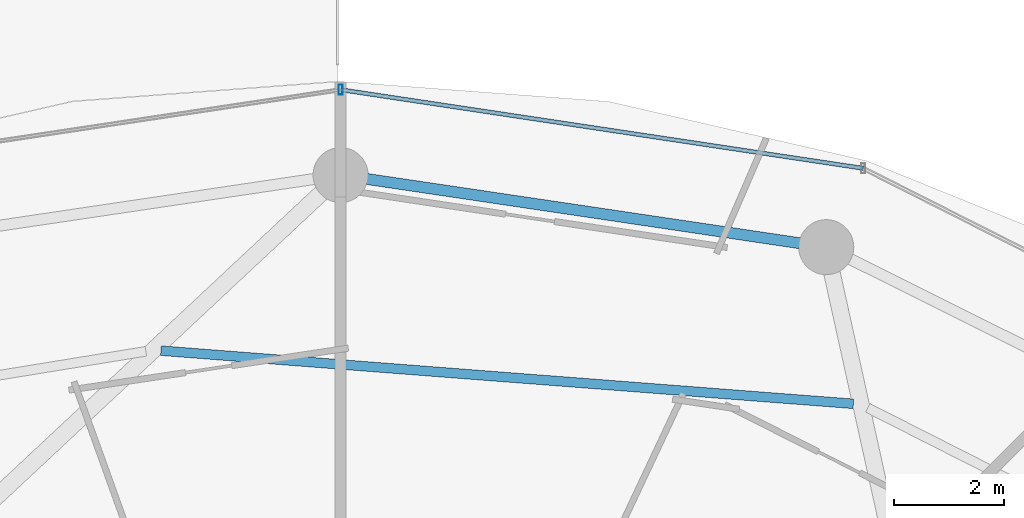
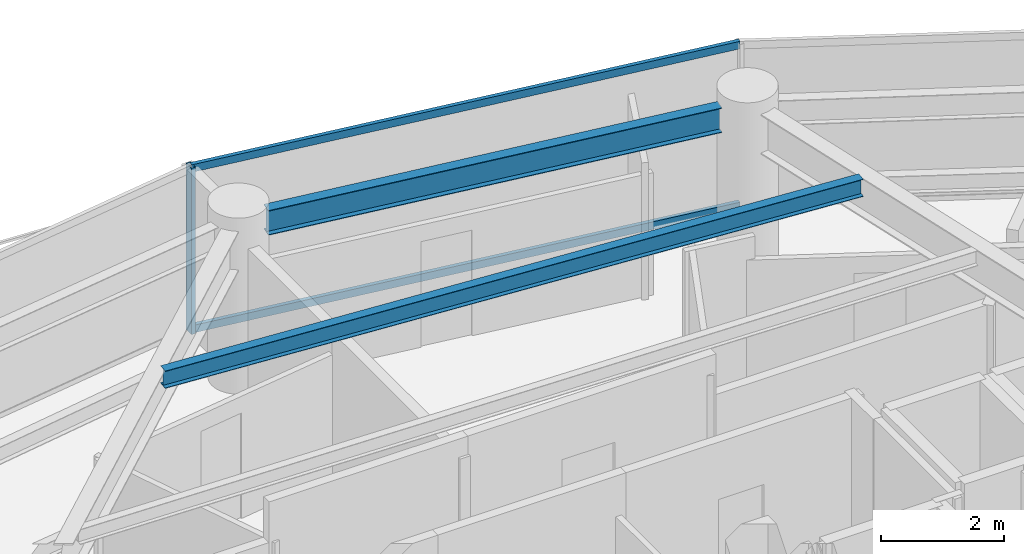
# One storey, part 19 of 31: 3 members, 2 beams, 1 element without a shape of its own.
"""IFC4 building model written with IfcOpenShell, lengths in metres."""

from ifc_helpers import new_model, si_unit, direction, frame, origin, origin_2d, place, context, subcontext, project, spatial, hollow_rectangle, i_section, extrude, material, material_profile, profile_set, type_object, element, aggregate, save


model = new_model("IFC4")

# Units and contexts
model_context = context("Model", 3, precision=1e-05, world=origin(), true_north=direction((0.0, 1.0)))
body_context = subcontext(model_context, "Body", "Model", "MODEL_VIEW")
ifc_project = project(units=[si_unit("LENGTHUNIT", "METRE"), si_unit("AREAUNIT", "SQUARE_METRE"), si_unit("VOLUMEUNIT", "CUBIC_METRE"), si_unit("PLANEANGLEUNIT", "RADIAN"), si_unit("MASSUNIT", "GRAM", prefix="KILO")], contexts=[model_context])

# Site, building, storey
site_placement = place(None, origin())
site = spatial("IfcSite", under=ifc_project, at=site_placement, CompositionType="ELEMENT")
building_placement = place(site_placement, origin())
building = spatial("IfcBuilding", under=site, at=building_placement, Name="Vorneva Point Tower", CompositionType="ELEMENT")
storey_placement = place(building_placement, frame((0.0, 0.0, 136.10009765625)))
storey = spatial("IfcBuildingStorey", under=building, at=storey_placement, Name="L36", CompositionType="ELEMENT", Elevation=136.10009765625)

# Beams
ifc_material_1 = material(Name="Steel S355", Category="steel")
ifc_material_profile_1 = material_profile(ifc_material_1, i_section(OverallWidth=0.174072265625, OverallDepth=0.345947265625, WebThickness=0.006103515625, FlangeThickness=0.009033203125, at=origin_2d()), Name="35B1")
ifc_profile_set_1 = profile_set([ifc_material_profile_1], Name="Steel S355")
beam_type_1 = type_object("IfcBeamType", Name="BM-SEC-35B1", PredefinedType="BEAM", material=ifc_profile_set_1)
beam_1_placement = place(storey_placement, frame((47.313720703125, 39.045166015625, 3.06689453125), z_axis=(-0.997065519462, 0.076552922221, 0.0), x_axis=(-0.076552922221, -0.997065519462, 0.0)))
element("IfcBeam", 1, at=beam_1_placement, inside=storey, type_object=beam_type_1, Name="L36 Secondary Floor Beam 1.04", PredefinedType="BEAM", context=body_context, shape_type="SweptSolid", body=[
    extrude(i_section(OverallWidth=0.174072265625, OverallDepth=0.345947265625, WebThickness=0.006103515625, FlangeThickness=0.009033203125, at=origin_2d()), origin(), (0.0, 0.0, 1.0), 12.61328125),
])
ifc_material_profile_2 = material_profile(ifc_material_1, i_section(OverallWidth=0.199951171875, OverallDepth=0.491943359375, WebThickness=0.0087890625, FlangeThickness=0.011962890625, at=origin_2d()), Name="50B1")
ifc_profile_set_2 = profile_set([ifc_material_profile_2], Name="Steel S355")
beam_type_2 = type_object("IfcBeamType", Name="BM-SPN-50B1", PredefinedType="SPANDREL", material=ifc_profile_set_2)
beam_2_placement = place(storey_placement, frame((46.34130859375, 41.9619140625, 2.993896484375), z_axis=(-0.989161199046, 0.146833655211, 0.0), x_axis=(-0.146833655211, -0.989161199046, 0.0)))
element("IfcBeam", 2, at=beam_2_placement, inside=storey, type_object=beam_type_2, Name="L36 Perimeter Spandrel Ring Beam 04", PredefinedType="SPANDREL", context=body_context, shape_type="SweptSolid", body=[
    extrude(i_section(OverallWidth=0.199951171875, OverallDepth=0.491943359375, WebThickness=0.0087890625, FlangeThickness=0.011962890625, at=origin_2d()), origin(), (0.0, 0.0, 1.0), 7.94775390625),
])

# Curtain wall, members
ifc_material_2 = material(Name="Pale anodised aluminium", Category="aluminium")
curtain_wall_type = type_object("IfcCurtainWallType", Name="CW-RES-SYS", PredefinedType="NOTDEFINED", material=ifc_material_2)
curtain_wall_placement = place(storey_placement, origin())
curtain_wall = element("IfcCurtainWall", 3, at=curtain_wall_placement, inside=storey, type_object=curtain_wall_type, Name="L36 Unitised Curtain Wall CW-L36-R02", PredefinedType="NOTDEFINED")
ifc_material_profile_3 = material_profile(ifc_material_2, hollow_rectangle(XDim=0.074951171875, YDim=0.179931640625, WallThickness=0.00390625, at=origin_2d()), Name="AL-MUL 180x75x4")
ifc_profile_set_3 = profile_set([ifc_material_profile_3], Name="Pale anodised aluminium")
member_type_1 = type_object("IfcMemberType", Name="CW-MUL-180", PredefinedType="MULLION", material=ifc_profile_set_3)
member_1_placement = place(storey_placement, frame((38.0, 44.75, -0.0400390625), z_axis=(0.0, 0.0, 1.0), x_axis=(1.0, 0.0, 0.0)))
member_1 = element("IfcMember", 4, at=member_1_placement, type_object=member_type_1, Name="CW-L36-R02 Mullion 03", PredefinedType="MULLION", context=body_context, shape_type="SweptSolid", body=[
    extrude(hollow_rectangle(XDim=0.074951171875, YDim=0.179931640625, WallThickness=0.00390625, at=origin_2d()), origin(), (0.0, 0.0, 1.0), 3.31005859375),
])
ifc_material_profile_4 = material_profile(ifc_material_2, hollow_rectangle(XDim=0.074951171875, YDim=0.14990234375, WallThickness=0.00390625, at=origin_2d()), Name="AL-TRN 150x75x4")
ifc_profile_set_4 = profile_set([ifc_material_profile_4], Name="Pale anodised aluminium")
member_type_2 = type_object("IfcMemberType", Name="CW-TRN-150", PredefinedType="USERDEFINED", material=ifc_profile_set_4)
member_2_placement = place(storey_placement, frame((47.490478515625, 43.32275390625, 0.02001953125), z_axis=(-0.988880117727, 0.148714870687, 0.0), x_axis=(-0.148714870687, -0.988880117727, 0.0)))
member_2 = element("IfcMember", 5, at=member_2_placement, type_object=member_type_2, Name="CW-L36-R02 Transom 02.1", ObjectType="TRANSOM", PredefinedType="USERDEFINED", context=body_context, shape_type="SweptSolid", body=[
    extrude(hollow_rectangle(XDim=0.074951171875, YDim=0.14990234375, WallThickness=0.00390625, at=origin_2d()), origin(), (0.0, 0.0, 1.0), 9.59716796875),
])
member_3_placement = place(storey_placement, frame((47.490478515625, 43.32275390625, 3.219970703125), z_axis=(-0.988880117727, 0.148714870687, 0.0), x_axis=(-0.148714870687, -0.988880117727, 0.0)))
member_3 = element("IfcMember", 6, at=member_3_placement, type_object=member_type_2, Name="CW-L36-R02 Transom 02.2", ObjectType="TRANSOM", PredefinedType="USERDEFINED", context=body_context, shape_type="SweptSolid", body=[
    extrude(hollow_rectangle(XDim=0.074951171875, YDim=0.14990234375, WallThickness=0.00390625, at=origin_2d()), origin(), (0.0, 0.0, 1.0), 9.59716796875),
])
aggregate(curtain_wall, [member_1, member_2, member_3])

save(model, "model.ifc")
